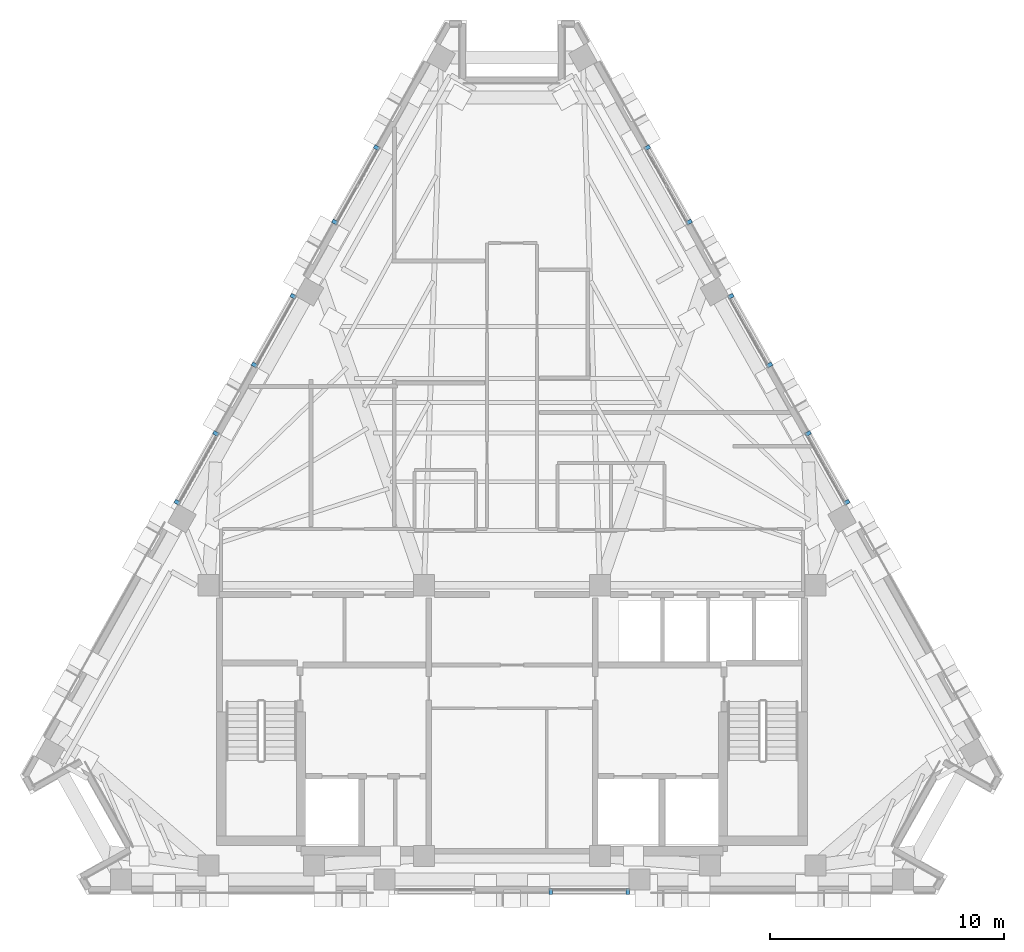
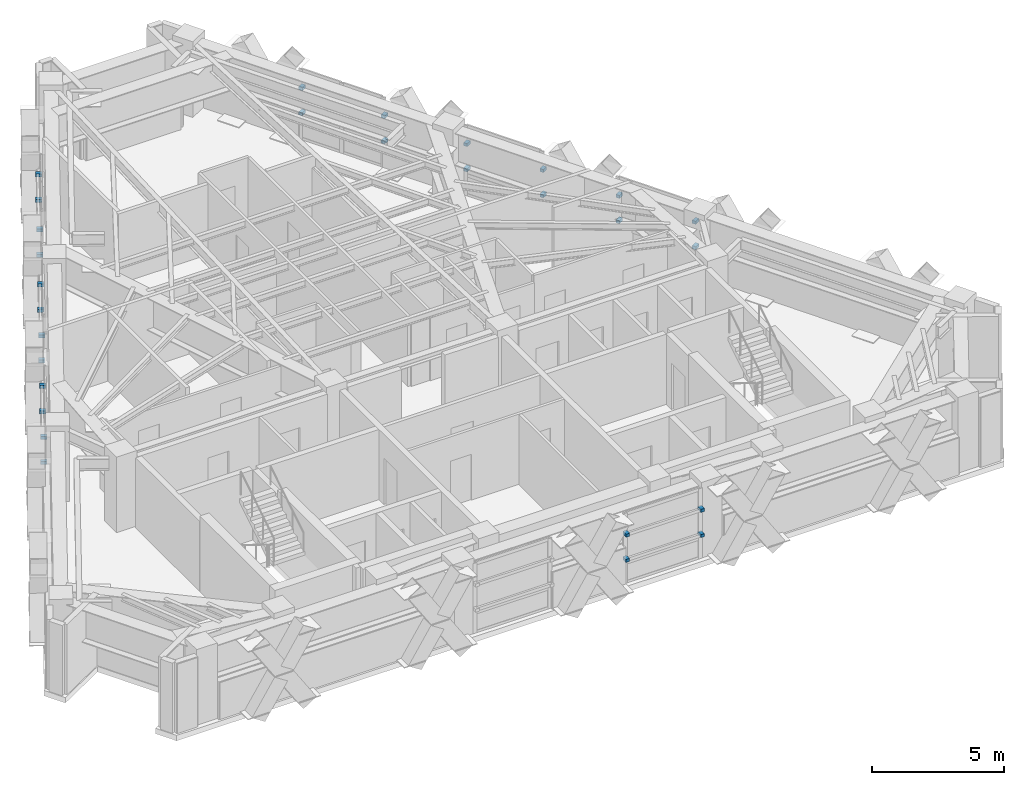
# One storey, part 10 of 13: 28 discrete accessories.
"""IFC4 building model written with IfcOpenShell, lengths in metres."""

from ifc_helpers import new_model, si_unit, direction, frame, origin, origin_2d, place, context, subcontext, project, spatial, rectangle, extrude, material, type_object, element, save


model = new_model("IFC4")

# Units and contexts
model_context = context("Model", 3, precision=1e-05, world=origin(), true_north=direction((0.0, 1.0)))
body_context = subcontext(model_context, "Body", "Model", "MODEL_VIEW")
ifc_project = project(units=[si_unit("LENGTHUNIT", "METRE"), si_unit("AREAUNIT", "SQUARE_METRE"), si_unit("VOLUMEUNIT", "CUBIC_METRE"), si_unit("PLANEANGLEUNIT", "RADIAN"), si_unit("MASSUNIT", "GRAM", prefix="KILO")], contexts=[model_context])

# Site, building, storey
site_placement = place(None, origin())
site = spatial("IfcSite", under=ifc_project, at=site_placement, CompositionType="ELEMENT")
building_placement = place(site_placement, origin())
building = spatial("IfcBuilding", under=site, at=building_placement, Name="Quenlor Broadcast Tower", CompositionType="ELEMENT")
storey_placement = place(building_placement, frame((0.0, 0.0, 225.39990234375)))
storey = spatial("IfcBuildingStorey", under=building, at=storey_placement, Name="L62", CompositionType="ELEMENT", Elevation=225.39990234375)

# Discrete accessories
ifc_material = material(Name="Aluminium 6063-T6", Category="aluminium")
discrete_accessory_type = type_object("IfcDiscreteAccessoryType", Name="Stainless Mullion Baguette Support Bracket", PredefinedType="BRACKET", material=ifc_material)
for number, where, z_axis, x_axis, name in (
    (1, (4.933837890625, -17.864990234375, 1.10009765625), (0.0, 0.0, 1.0), (-1.0, 0.0, 0.0), "L62 Baguette Mullion Bracket 1.1"),
    (2, (1.655029296875, -17.864990234375, 1.10009765625), (0.0, 0.0, 1.0), (-1.0, 0.0, 0.0), "L62 Baguette Mullion Bracket 1.2"),
    (3, (4.933837890625, -17.864990234375, 2.27001953125), (0.0, 0.0, 1.0), (-1.0, 0.0, 0.0), "L62 Baguette Mullion Bracket 2.1"),
    (4, (1.655029296875, -17.864990234375, 2.27001953125), (0.0, 0.0, 1.0), (-1.0, 0.0, 0.0), "L62 Baguette Mullion Bracket 2.2"),
    (5, (5.771484375, 13.864013671875, 1.10009765625), (0.0, 0.0, 1.0), (0.490260425147, -0.871575995272, 0.0), "L62 Baguette Mullion Bracket 1.1"),
    (6, (7.555908203125, 10.692138671875, 1.10009765625), (0.0, 0.0, 1.0), (0.490260425147, -0.871575995272, 0.0), "L62 Baguette Mullion Bracket 1.2"),
    (7, (5.771484375, 13.864013671875, 2.27001953125), (0.0, 0.0, 1.0), (0.490260425147, -0.871575995272, 0.0), "L62 Baguette Mullion Bracket 2.1"),
    (8, (7.555908203125, 10.692138671875, 2.27001953125), (0.0, 0.0, 1.0), (0.490260425147, -0.871575995272, 0.0), "L62 Baguette Mullion Bracket 2.2"),
    (9, (9.33544921875, 7.5283203125, 1.10009765625), (0.0, 0.0, 1.0), (0.49025738277, -0.871577706599, 0.0), "L62 Baguette Mullion Bracket 1.1"),
    (10, (10.98486328125, 4.595947265625, 1.10009765625), (0.0, 0.0, 1.0), (0.49025738277, -0.871577706599, 0.0), "L62 Baguette Mullion Bracket 1.2"),
    (11, (9.33544921875, 7.5283203125, 2.27001953125), (0.0, 0.0, 1.0), (0.49025738277, -0.871577706599, 0.0), "L62 Baguette Mullion Bracket 2.1"),
    (12, (10.98486328125, 4.595947265625, 2.27001953125), (0.0, 0.0, 1.0), (0.49025738277, -0.871577706599, 0.0), "L62 Baguette Mullion Bracket 2.2"),
    (13, (12.6298828125, 1.671630859375, 1.10009765625), (0.0, 0.0, 1.0), (0.49025738277, -0.871577706599, 0.0), "L62 Baguette Mullion Bracket 1.1"),
    (14, (14.279296875, -1.260498046875, 1.10009765625), (0.0, 0.0, 1.0), (0.49025738277, -0.871577706599, 0.0), "L62 Baguette Mullion Bracket 1.2"),
    (15, (12.6298828125, 1.671630859375, 2.27001953125), (0.0, 0.0, 1.0), (0.49025738277, -0.871577706599, 0.0), "L62 Baguette Mullion Bracket 2.1"),
    (16, (14.279296875, -1.260498046875, 2.27001953125), (0.0, 0.0, 1.0), (0.49025738277, -0.871577706599, 0.0), "L62 Baguette Mullion Bracket 2.2"),
    (17, (-7.555908203125, 10.692138671875, 1.10009765625), (0.0, 0.0, 1.0), (0.490260425147, 0.871575995272, 0.0), "L62 Baguette Mullion Bracket 1.1"),
    (18, (-5.771484375, 13.864013671875, 1.10009765625), (0.0, 0.0, 1.0), (0.490260425147, 0.871575995272, 0.0), "L62 Baguette Mullion Bracket 1.2"),
    (19, (-7.555908203125, 10.692138671875, 2.27001953125), (0.0, 0.0, 1.0), (0.490260425147, 0.871575995272, 0.0), "L62 Baguette Mullion Bracket 2.1"),
    (20, (-5.771484375, 13.864013671875, 2.27001953125), (0.0, 0.0, 1.0), (0.490260425147, 0.871575995272, 0.0), "L62 Baguette Mullion Bracket 2.2"),
    (21, (-14.279296875, -1.260498046875, 1.10009765625), (0.0, 0.0, 1.0), (0.49025738277, 0.871577706599, 0.0), "L62 Baguette Mullion Bracket 1.1"),
    (22, (-12.6298828125, 1.671630859375, 1.10009765625), (0.0, 0.0, 1.0), (0.49025738277, 0.871577706599, 0.0), "L62 Baguette Mullion Bracket 1.2"),
    (23, (-14.279296875, -1.260498046875, 2.27001953125), (0.0, 0.0, 1.0), (0.49025738277, 0.871577706599, 0.0), "L62 Baguette Mullion Bracket 2.1"),
    (24, (-12.6298828125, 1.671630859375, 2.27001953125), (0.0, 0.0, 1.0), (0.49025738277, 0.871577706599, 0.0), "L62 Baguette Mullion Bracket 2.2"),
    (25, (-10.98486328125, 4.595947265625, 1.10009765625), (0.0, 0.0, 1.0), (0.49025738277, 0.871577706599, 0.0), "L62 Baguette Mullion Bracket 1.1"),
    (26, (-9.33544921875, 7.5283203125, 1.10009765625), (0.0, 0.0, 1.0), (0.49025738277, 0.871577706599, 0.0), "L62 Baguette Mullion Bracket 1.2"),
    (27, (-10.98486328125, 4.595947265625, 2.27001953125), (0.0, 0.0, 1.0), (0.49025738277, 0.871577706599, 0.0), "L62 Baguette Mullion Bracket 2.1"),
    (28, (-9.33544921875, 7.5283203125, 2.27001953125), (0.0, 0.0, 1.0), (0.49025738277, 0.871577706599, 0.0), "L62 Baguette Mullion Bracket 2.2"),
):
    element("IfcDiscreteAccessory", number, at=place(storey_placement, frame(where, z_axis=z_axis, x_axis=x_axis)), inside=storey, type_object=discrete_accessory_type, Name=name, PredefinedType="BRACKET", context=body_context, shape_type="SweptSolid", body=[
        extrude(rectangle(XDim=0.159912109375, YDim=0.239990234375, at=origin_2d()), origin(), (0.0, 0.0, 1.0), 0.139892578125),
    ])

save(model, "model.ifc")
